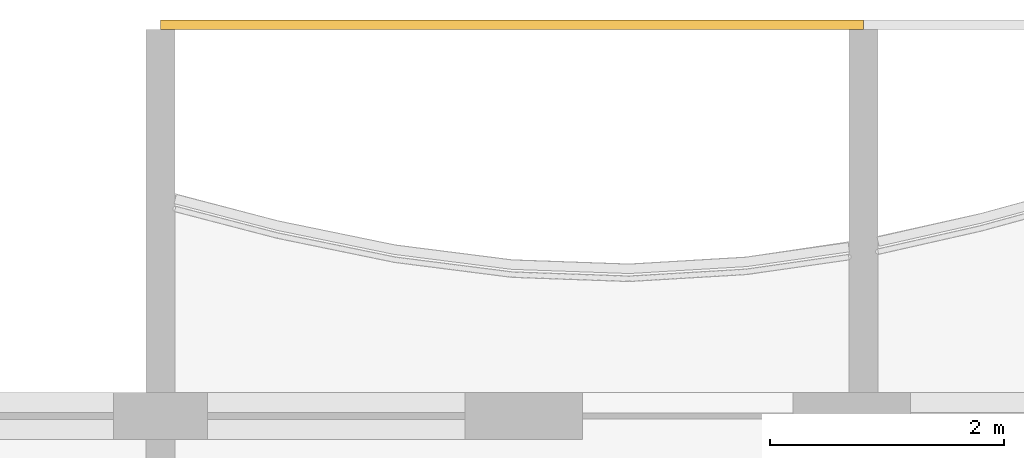
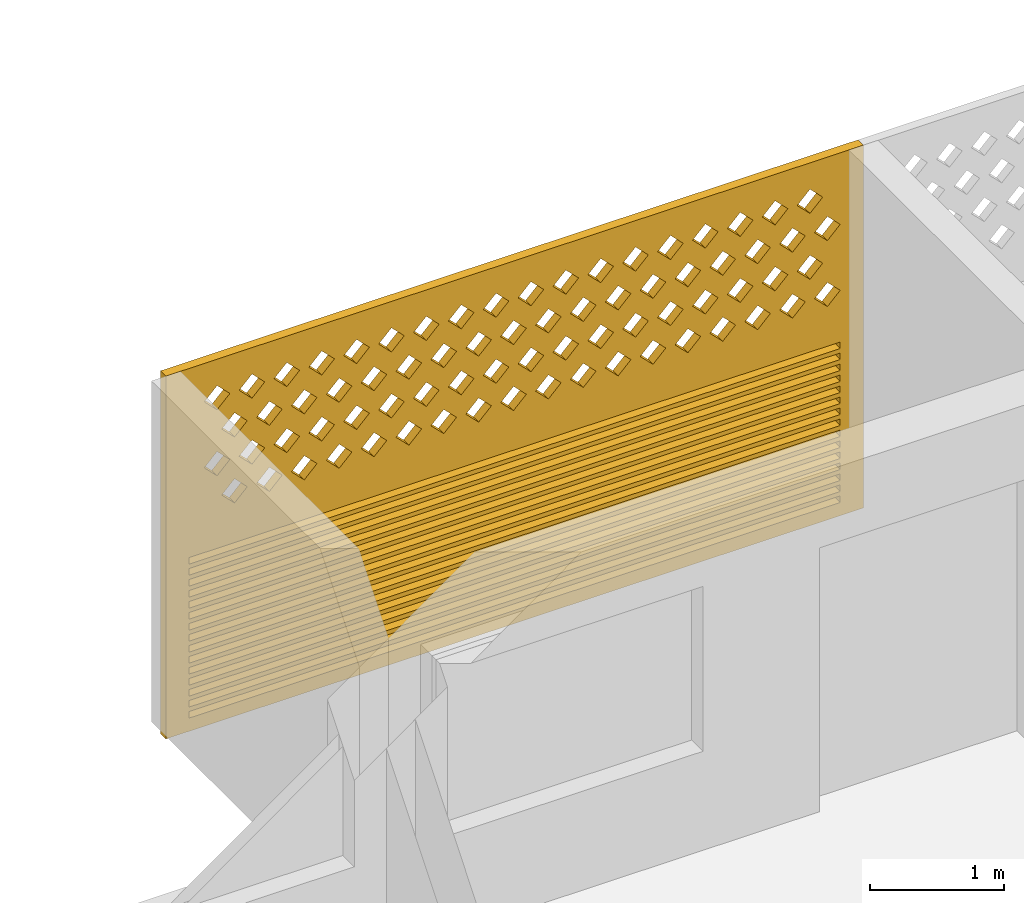
# One storey, part 25 of 27: 1 covering.
"""IFC4 building model written with IfcOpenShell, lengths in metres."""

from ifc_helpers import new_model, si_unit, direction, frame, origin, place, context, subcontext, project, spatial, polyline, outline, extrude, source, transform, mapped, material, material_profile, profile_set, type_object, element, save


model = new_model("IFC4")

# Units and contexts
model_context = context("Model", 3, precision=1e-05, world=origin(), true_north=direction((0.0, 1.0)))
body_context = subcontext(model_context, "Body", "Model", "MODEL_VIEW")
ifc_project = project(units=[si_unit("LENGTHUNIT", "METRE"), si_unit("AREAUNIT", "SQUARE_METRE"), si_unit("VOLUMEUNIT", "CUBIC_METRE"), si_unit("PLANEANGLEUNIT", "RADIAN"), si_unit("MASSUNIT", "GRAM", prefix="KILO")], contexts=[model_context])

# Site, building, storey
site_placement = place(None, origin())
site = spatial("IfcSite", under=ifc_project, at=site_placement, CompositionType="ELEMENT")
building_placement = place(site_placement, origin())
building = spatial("IfcBuilding", under=site, at=building_placement, Name="Poui Terraces", CompositionType="ELEMENT")
storey_placement = place(building_placement, frame((0.0, 0.0, 191.699951171875)))
storey = spatial("IfcBuildingStorey", under=building, at=storey_placement, Name="L53", CompositionType="ELEMENT", Elevation=191.699951171875)

# Covering
ifc_material = material(Name="Terracotta screen", Category="masonry")
ifc_material_profile = material_profile(ifc_material, outline(polyline([(-3.0, -1.64990234375), (3.0, -1.64990234375), (3.0, 1.64990234375), (-3.0, 1.64990234375), (-3.0, -1.64990234375)]), holes=[polyline([(-2.800048828125, 0.39990234375), (-2.68994140625, 0.2900390625), (-2.580078125, 0.39990234375), (-2.68994140625, 0.510009765625), (-2.800048828125, 0.39990234375)]), polyline([(-2.5, 0.39990234375), (-2.389892578125, 0.2900390625), (-2.280029296875, 0.39990234375), (-2.389892578125, 0.510009765625), (-2.5, 0.39990234375)]), polyline([(-2.199951171875, 0.39990234375), (-2.090087890625, 0.2900390625), (-1.97998046875, 0.39990234375), (-2.090087890625, 0.510009765625), (-2.199951171875, 0.39990234375)]), polyline([(-1.89990234375, 0.39990234375), (-1.7900390625, 0.2900390625), (-1.679931640625, 0.39990234375), (-1.7900390625, 0.510009765625), (-1.89990234375, 0.39990234375)]), polyline([(-1.60009765625, 0.39990234375), (-1.489990234375, 0.2900390625), (-1.3798828125, 0.39990234375), (-1.489990234375, 0.510009765625), (-1.60009765625, 0.39990234375)]), polyline([(-1.300048828125, 0.39990234375), (-1.18994140625, 0.2900390625), (-1.080078125, 0.39990234375), (-1.18994140625, 0.510009765625), (-1.300048828125, 0.39990234375)]), polyline([(-1.0, 0.39990234375), (-0.889892578125, 0.2900390625), (-0.780029296875, 0.39990234375), (-0.889892578125, 0.510009765625), (-1.0, 0.39990234375)]), polyline([(-0.699951171875, 0.39990234375), (-0.590087890625, 0.2900390625), (-0.47998046875, 0.39990234375), (-0.590087890625, 0.510009765625), (-0.699951171875, 0.39990234375)]), polyline([(-0.39990234375, 0.39990234375), (-0.2900390625, 0.2900390625), (-0.179931640625, 0.39990234375), (-0.2900390625, 0.510009765625), (-0.39990234375, 0.39990234375)]), polyline([(-0.10009765625, 0.39990234375), (0.010009765625, 0.2900390625), (0.1201171875, 0.39990234375), (0.010009765625, 0.510009765625), (-0.10009765625, 0.39990234375)]), polyline([(0.199951171875, 0.39990234375), (0.31005859375, 0.2900390625), (0.419921875, 0.39990234375), (0.31005859375, 0.510009765625), (0.199951171875, 0.39990234375)]), polyline([(0.5, 0.39990234375), (0.610107421875, 0.2900390625), (0.719970703125, 0.39990234375), (0.610107421875, 0.510009765625), (0.5, 0.39990234375)]), polyline([(0.800048828125, 0.39990234375), (0.909912109375, 0.2900390625), (1.02001953125, 0.39990234375), (0.909912109375, 0.510009765625), (0.800048828125, 0.39990234375)]), polyline([(1.10009765625, 0.39990234375), (1.2099609375, 0.2900390625), (1.320068359375, 0.39990234375), (1.2099609375, 0.510009765625), (1.10009765625, 0.39990234375)]), polyline([(1.39990234375, 0.39990234375), (1.510009765625, 0.2900390625), (1.6201171875, 0.39990234375), (1.510009765625, 0.510009765625), (1.39990234375, 0.39990234375)]), polyline([(1.699951171875, 0.39990234375), (1.81005859375, 0.2900390625), (1.919921875, 0.39990234375), (1.81005859375, 0.510009765625), (1.699951171875, 0.39990234375)]), polyline([(2.0, 0.39990234375), (2.110107421875, 0.2900390625), (2.219970703125, 0.39990234375), (2.110107421875, 0.510009765625), (2.0, 0.39990234375)]), polyline([(2.300048828125, 0.39990234375), (2.409912109375, 0.2900390625), (2.52001953125, 0.39990234375), (2.409912109375, 0.510009765625), (2.300048828125, 0.39990234375)]), polyline([(-2.64990234375, 0.699951171875), (-2.5400390625, 0.590087890625), (-2.429931640625, 0.699951171875), (-2.5400390625, 0.81005859375), (-2.64990234375, 0.699951171875)]), polyline([(-2.35009765625, 0.699951171875), (-2.239990234375, 0.590087890625), (-2.1298828125, 0.699951171875), (-2.239990234375, 0.81005859375), (-2.35009765625, 0.699951171875)]), polyline([(-2.050048828125, 0.699951171875), (-1.93994140625, 0.590087890625), (-1.830078125, 0.699951171875), (-1.93994140625, 0.81005859375), (-2.050048828125, 0.699951171875)]), polyline([(-1.75, 0.699951171875), (-1.639892578125, 0.590087890625), (-1.530029296875, 0.699951171875), (-1.639892578125, 0.81005859375), (-1.75, 0.699951171875)]), polyline([(-1.449951171875, 0.699951171875), (-1.340087890625, 0.590087890625), (-1.22998046875, 0.699951171875), (-1.340087890625, 0.81005859375), (-1.449951171875, 0.699951171875)]), polyline([(-1.14990234375, 0.699951171875), (-1.0400390625, 0.590087890625), (-0.929931640625, 0.699951171875), (-1.0400390625, 0.81005859375), (-1.14990234375, 0.699951171875)]), polyline([(-0.85009765625, 0.699951171875), (-0.739990234375, 0.590087890625), (-0.6298828125, 0.699951171875), (-0.739990234375, 0.81005859375), (-0.85009765625, 0.699951171875)]), polyline([(-0.550048828125, 0.699951171875), (-0.43994140625, 0.590087890625), (-0.330078125, 0.699951171875), (-0.43994140625, 0.81005859375), (-0.550048828125, 0.699951171875)]), polyline([(-0.25, 0.699951171875), (-0.139892578125, 0.590087890625), (-0.030029296875, 0.699951171875), (-0.139892578125, 0.81005859375), (-0.25, 0.699951171875)]), polyline([(0.050048828125, 0.699951171875), (0.159912109375, 0.590087890625), (0.27001953125, 0.699951171875), (0.159912109375, 0.81005859375), (0.050048828125, 0.699951171875)]), polyline([(0.35009765625, 0.699951171875), (0.4599609375, 0.590087890625), (0.570068359375, 0.699951171875), (0.4599609375, 0.81005859375), (0.35009765625, 0.699951171875)]), polyline([(0.64990234375, 0.699951171875), (0.760009765625, 0.590087890625), (0.8701171875, 0.699951171875), (0.760009765625, 0.81005859375), (0.64990234375, 0.699951171875)]), polyline([(0.949951171875, 0.699951171875), (1.06005859375, 0.590087890625), (1.169921875, 0.699951171875), (1.06005859375, 0.81005859375), (0.949951171875, 0.699951171875)]), polyline([(1.25, 0.699951171875), (1.360107421875, 0.590087890625), (1.469970703125, 0.699951171875), (1.360107421875, 0.81005859375), (1.25, 0.699951171875)]), polyline([(1.550048828125, 0.699951171875), (1.659912109375, 0.590087890625), (1.77001953125, 0.699951171875), (1.659912109375, 0.81005859375), (1.550048828125, 0.699951171875)]), polyline([(1.85009765625, 0.699951171875), (1.9599609375, 0.590087890625), (2.070068359375, 0.699951171875), (1.9599609375, 0.81005859375), (1.85009765625, 0.699951171875)]), polyline([(2.14990234375, 0.699951171875), (2.260009765625, 0.590087890625), (2.3701171875, 0.699951171875), (2.260009765625, 0.81005859375), (2.14990234375, 0.699951171875)]), polyline([(2.449951171875, 0.699951171875), (2.56005859375, 0.590087890625), (2.669921875, 0.699951171875), (2.56005859375, 0.81005859375), (2.449951171875, 0.699951171875)]), polyline([(-2.800048828125, 1.0), (-2.68994140625, 0.889892578125), (-2.580078125, 1.0), (-2.68994140625, 1.110107421875), (-2.800048828125, 1.0)]), polyline([(-2.5, 1.0), (-2.389892578125, 0.889892578125), (-2.280029296875, 1.0), (-2.389892578125, 1.110107421875), (-2.5, 1.0)]), polyline([(-2.199951171875, 1.0), (-2.090087890625, 0.889892578125), (-1.97998046875, 1.0), (-2.090087890625, 1.110107421875), (-2.199951171875, 1.0)]), polyline([(-1.89990234375, 1.0), (-1.7900390625, 0.889892578125), (-1.679931640625, 1.0), (-1.7900390625, 1.110107421875), (-1.89990234375, 1.0)]), polyline([(-1.60009765625, 1.0), (-1.489990234375, 0.889892578125), (-1.3798828125, 1.0), (-1.489990234375, 1.110107421875), (-1.60009765625, 1.0)]), polyline([(-1.300048828125, 1.0), (-1.18994140625, 0.889892578125), (-1.080078125, 1.0), (-1.18994140625, 1.110107421875), (-1.300048828125, 1.0)]), polyline([(-1.0, 1.0), (-0.889892578125, 0.889892578125), (-0.780029296875, 1.0), (-0.889892578125, 1.110107421875), (-1.0, 1.0)]), polyline([(-0.699951171875, 1.0), (-0.590087890625, 0.889892578125), (-0.47998046875, 1.0), (-0.590087890625, 1.110107421875), (-0.699951171875, 1.0)]), polyline([(-0.39990234375, 1.0), (-0.2900390625, 0.889892578125), (-0.179931640625, 1.0), (-0.2900390625, 1.110107421875), (-0.39990234375, 1.0)]), polyline([(-0.10009765625, 1.0), (0.010009765625, 0.889892578125), (0.1201171875, 1.0), (0.010009765625, 1.110107421875), (-0.10009765625, 1.0)]), polyline([(0.199951171875, 1.0), (0.31005859375, 0.889892578125), (0.419921875, 1.0), (0.31005859375, 1.110107421875), (0.199951171875, 1.0)]), polyline([(0.5, 1.0), (0.610107421875, 0.889892578125), (0.719970703125, 1.0), (0.610107421875, 1.110107421875), (0.5, 1.0)]), polyline([(0.800048828125, 1.0), (0.909912109375, 0.889892578125), (1.02001953125, 1.0), (0.909912109375, 1.110107421875), (0.800048828125, 1.0)]), polyline([(1.10009765625, 1.0), (1.2099609375, 0.889892578125), (1.320068359375, 1.0), (1.2099609375, 1.110107421875), (1.10009765625, 1.0)]), polyline([(1.39990234375, 1.0), (1.510009765625, 0.889892578125), (1.6201171875, 1.0), (1.510009765625, 1.110107421875), (1.39990234375, 1.0)]), polyline([(1.699951171875, 1.0), (1.81005859375, 0.889892578125), (1.919921875, 1.0), (1.81005859375, 1.110107421875), (1.699951171875, 1.0)]), polyline([(2.0, 1.0), (2.110107421875, 0.889892578125), (2.219970703125, 1.0), (2.110107421875, 1.110107421875), (2.0, 1.0)]), polyline([(2.300048828125, 1.0), (2.409912109375, 0.889892578125), (2.52001953125, 1.0), (2.409912109375, 1.110107421875), (2.300048828125, 1.0)]), polyline([(-2.64990234375, 1.300048828125), (-2.5400390625, 1.18994140625), (-2.429931640625, 1.300048828125), (-2.5400390625, 1.409912109375), (-2.64990234375, 1.300048828125)]), polyline([(-2.35009765625, 1.300048828125), (-2.239990234375, 1.18994140625), (-2.1298828125, 1.300048828125), (-2.239990234375, 1.409912109375), (-2.35009765625, 1.300048828125)]), polyline([(-2.050048828125, 1.300048828125), (-1.93994140625, 1.18994140625), (-1.830078125, 1.300048828125), (-1.93994140625, 1.409912109375), (-2.050048828125, 1.300048828125)]), polyline([(-1.75, 1.300048828125), (-1.639892578125, 1.18994140625), (-1.530029296875, 1.300048828125), (-1.639892578125, 1.409912109375), (-1.75, 1.300048828125)]), polyline([(-1.449951171875, 1.300048828125), (-1.340087890625, 1.18994140625), (-1.22998046875, 1.300048828125), (-1.340087890625, 1.409912109375), (-1.449951171875, 1.300048828125)]), polyline([(-1.14990234375, 1.300048828125), (-1.0400390625, 1.18994140625), (-0.929931640625, 1.300048828125), (-1.0400390625, 1.409912109375), (-1.14990234375, 1.300048828125)]), polyline([(-0.85009765625, 1.300048828125), (-0.739990234375, 1.18994140625), (-0.6298828125, 1.300048828125), (-0.739990234375, 1.409912109375), (-0.85009765625, 1.300048828125)]), polyline([(-0.550048828125, 1.300048828125), (-0.43994140625, 1.18994140625), (-0.330078125, 1.300048828125), (-0.43994140625, 1.409912109375), (-0.550048828125, 1.300048828125)]), polyline([(-0.25, 1.300048828125), (-0.139892578125, 1.18994140625), (-0.030029296875, 1.300048828125), (-0.139892578125, 1.409912109375), (-0.25, 1.300048828125)]), polyline([(0.050048828125, 1.300048828125), (0.159912109375, 1.18994140625), (0.27001953125, 1.300048828125), (0.159912109375, 1.409912109375), (0.050048828125, 1.300048828125)]), polyline([(0.35009765625, 1.300048828125), (0.4599609375, 1.18994140625), (0.570068359375, 1.300048828125), (0.4599609375, 1.409912109375), (0.35009765625, 1.300048828125)]), polyline([(0.64990234375, 1.300048828125), (0.760009765625, 1.18994140625), (0.8701171875, 1.300048828125), (0.760009765625, 1.409912109375), (0.64990234375, 1.300048828125)]), polyline([(0.949951171875, 1.300048828125), (1.06005859375, 1.18994140625), (1.169921875, 1.300048828125), (1.06005859375, 1.409912109375), (0.949951171875, 1.300048828125)]), polyline([(1.25, 1.300048828125), (1.360107421875, 1.18994140625), (1.469970703125, 1.300048828125), (1.360107421875, 1.409912109375), (1.25, 1.300048828125)]), polyline([(1.550048828125, 1.300048828125), (1.659912109375, 1.18994140625), (1.77001953125, 1.300048828125), (1.659912109375, 1.409912109375), (1.550048828125, 1.300048828125)]), polyline([(1.85009765625, 1.300048828125), (1.9599609375, 1.18994140625), (2.070068359375, 1.300048828125), (1.9599609375, 1.409912109375), (1.85009765625, 1.300048828125)]), polyline([(2.14990234375, 1.300048828125), (2.260009765625, 1.18994140625), (2.3701171875, 1.300048828125), (2.260009765625, 1.409912109375), (2.14990234375, 1.300048828125)]), polyline([(2.449951171875, 1.300048828125), (2.56005859375, 1.18994140625), (2.669921875, 1.300048828125), (2.56005859375, 1.409912109375), (2.449951171875, 1.300048828125)]), polyline([(-2.800048828125, -1.530029296875), (2.800048828125, -1.530029296875), (2.800048828125, -1.469970703125), (-2.800048828125, -1.469970703125), (-2.800048828125, -1.530029296875)]), polyline([(-2.800048828125, -1.429931640625), (2.800048828125, -1.429931640625), (2.800048828125, -1.3701171875), (-2.800048828125, -1.3701171875), (-2.800048828125, -1.429931640625)]), polyline([(-2.800048828125, -1.330078125), (2.800048828125, -1.330078125), (2.800048828125, -1.27001953125), (-2.800048828125, -1.27001953125), (-2.800048828125, -1.330078125)]), polyline([(-2.800048828125, -1.22998046875), (2.800048828125, -1.22998046875), (2.800048828125, -1.169921875), (-2.800048828125, -1.169921875), (-2.800048828125, -1.22998046875)]), polyline([(-2.800048828125, -1.1298828125), (2.800048828125, -1.1298828125), (2.800048828125, -1.070068359375), (-2.800048828125, -1.070068359375), (-2.800048828125, -1.1298828125)]), polyline([(-2.800048828125, -1.030029296875), (2.800048828125, -1.030029296875), (2.800048828125, -0.969970703125), (-2.800048828125, -0.969970703125), (-2.800048828125, -1.030029296875)]), polyline([(-2.800048828125, -0.929931640625), (2.800048828125, -0.929931640625), (2.800048828125, -0.8701171875), (-2.800048828125, -0.8701171875), (-2.800048828125, -0.929931640625)]), polyline([(-2.800048828125, -0.830078125), (2.800048828125, -0.830078125), (2.800048828125, -0.77001953125), (-2.800048828125, -0.77001953125), (-2.800048828125, -0.830078125)]), polyline([(-2.800048828125, -0.72998046875), (2.800048828125, -0.72998046875), (2.800048828125, -0.669921875), (-2.800048828125, -0.669921875), (-2.800048828125, -0.72998046875)]), polyline([(-2.800048828125, -0.6298828125), (2.800048828125, -0.6298828125), (2.800048828125, -0.570068359375), (-2.800048828125, -0.570068359375), (-2.800048828125, -0.6298828125)]), polyline([(-2.800048828125, -0.530029296875), (2.800048828125, -0.530029296875), (2.800048828125, -0.469970703125), (-2.800048828125, -0.469970703125), (-2.800048828125, -0.530029296875)]), polyline([(-2.800048828125, -0.429931640625), (2.800048828125, -0.429931640625), (2.800048828125, -0.3701171875), (-2.800048828125, -0.3701171875), (-2.800048828125, -0.429931640625)]), polyline([(-2.800048828125, -0.330078125), (2.800048828125, -0.330078125), (2.800048828125, -0.27001953125), (-2.800048828125, -0.27001953125), (-2.800048828125, -0.330078125)]), polyline([(-2.800048828125, -0.22998046875), (2.800048828125, -0.22998046875), (2.800048828125, -0.169921875), (-2.800048828125, -0.169921875), (-2.800048828125, -0.22998046875)]), polyline([(-2.800048828125, -0.1298828125), (2.800048828125, -0.1298828125), (2.800048828125, -0.070068359375), (-2.800048828125, -0.070068359375), (-2.800048828125, -0.1298828125)])]), Name="TERRACOTTA SCREEN AND JALOUSIE LOUVRE 6000X3300")
ifc_profile_set = profile_set([ifc_material_profile], Name="Terracotta screen")
covering_type = type_object("IfcCoveringType", Name="TERRACOTTA SCREEN AND JALOUSIE LOUVRE 6000X3300", PredefinedType="CLADDING", material=ifc_profile_set)
shared_shape = source(origin(), body_context, "Body", "SweptSolid", [
    extrude(outline(polyline([(-3.0, -1.64990234375), (3.0, -1.64990234375), (3.0, 1.64990234375), (-3.0, 1.64990234375), (-3.0, -1.64990234375)]), holes=[polyline([(-2.800048828125, 0.39990234375), (-2.68994140625, 0.2900390625), (-2.580078125, 0.39990234375), (-2.68994140625, 0.510009765625), (-2.800048828125, 0.39990234375)]), polyline([(-2.5, 0.39990234375), (-2.389892578125, 0.2900390625), (-2.280029296875, 0.39990234375), (-2.389892578125, 0.510009765625), (-2.5, 0.39990234375)]), polyline([(-2.199951171875, 0.39990234375), (-2.090087890625, 0.2900390625), (-1.97998046875, 0.39990234375), (-2.090087890625, 0.510009765625), (-2.199951171875, 0.39990234375)]), polyline([(-1.89990234375, 0.39990234375), (-1.7900390625, 0.2900390625), (-1.679931640625, 0.39990234375), (-1.7900390625, 0.510009765625), (-1.89990234375, 0.39990234375)]), polyline([(-1.60009765625, 0.39990234375), (-1.489990234375, 0.2900390625), (-1.3798828125, 0.39990234375), (-1.489990234375, 0.510009765625), (-1.60009765625, 0.39990234375)]), polyline([(-1.300048828125, 0.39990234375), (-1.18994140625, 0.2900390625), (-1.080078125, 0.39990234375), (-1.18994140625, 0.510009765625), (-1.300048828125, 0.39990234375)]), polyline([(-1.0, 0.39990234375), (-0.889892578125, 0.2900390625), (-0.780029296875, 0.39990234375), (-0.889892578125, 0.510009765625), (-1.0, 0.39990234375)]), polyline([(-0.699951171875, 0.39990234375), (-0.590087890625, 0.2900390625), (-0.47998046875, 0.39990234375), (-0.590087890625, 0.510009765625), (-0.699951171875, 0.39990234375)]), polyline([(-0.39990234375, 0.39990234375), (-0.2900390625, 0.2900390625), (-0.179931640625, 0.39990234375), (-0.2900390625, 0.510009765625), (-0.39990234375, 0.39990234375)]), polyline([(-0.10009765625, 0.39990234375), (0.010009765625, 0.2900390625), (0.1201171875, 0.39990234375), (0.010009765625, 0.510009765625), (-0.10009765625, 0.39990234375)]), polyline([(0.199951171875, 0.39990234375), (0.31005859375, 0.2900390625), (0.419921875, 0.39990234375), (0.31005859375, 0.510009765625), (0.199951171875, 0.39990234375)]), polyline([(0.5, 0.39990234375), (0.610107421875, 0.2900390625), (0.719970703125, 0.39990234375), (0.610107421875, 0.510009765625), (0.5, 0.39990234375)]), polyline([(0.800048828125, 0.39990234375), (0.909912109375, 0.2900390625), (1.02001953125, 0.39990234375), (0.909912109375, 0.510009765625), (0.800048828125, 0.39990234375)]), polyline([(1.10009765625, 0.39990234375), (1.2099609375, 0.2900390625), (1.320068359375, 0.39990234375), (1.2099609375, 0.510009765625), (1.10009765625, 0.39990234375)]), polyline([(1.39990234375, 0.39990234375), (1.510009765625, 0.2900390625), (1.6201171875, 0.39990234375), (1.510009765625, 0.510009765625), (1.39990234375, 0.39990234375)]), polyline([(1.699951171875, 0.39990234375), (1.81005859375, 0.2900390625), (1.919921875, 0.39990234375), (1.81005859375, 0.510009765625), (1.699951171875, 0.39990234375)]), polyline([(2.0, 0.39990234375), (2.110107421875, 0.2900390625), (2.219970703125, 0.39990234375), (2.110107421875, 0.510009765625), (2.0, 0.39990234375)]), polyline([(2.300048828125, 0.39990234375), (2.409912109375, 0.2900390625), (2.52001953125, 0.39990234375), (2.409912109375, 0.510009765625), (2.300048828125, 0.39990234375)]), polyline([(-2.64990234375, 0.699951171875), (-2.5400390625, 0.590087890625), (-2.429931640625, 0.699951171875), (-2.5400390625, 0.81005859375), (-2.64990234375, 0.699951171875)]), polyline([(-2.35009765625, 0.699951171875), (-2.239990234375, 0.590087890625), (-2.1298828125, 0.699951171875), (-2.239990234375, 0.81005859375), (-2.35009765625, 0.699951171875)]), polyline([(-2.050048828125, 0.699951171875), (-1.93994140625, 0.590087890625), (-1.830078125, 0.699951171875), (-1.93994140625, 0.81005859375), (-2.050048828125, 0.699951171875)]), polyline([(-1.75, 0.699951171875), (-1.639892578125, 0.590087890625), (-1.530029296875, 0.699951171875), (-1.639892578125, 0.81005859375), (-1.75, 0.699951171875)]), polyline([(-1.449951171875, 0.699951171875), (-1.340087890625, 0.590087890625), (-1.22998046875, 0.699951171875), (-1.340087890625, 0.81005859375), (-1.449951171875, 0.699951171875)]), polyline([(-1.14990234375, 0.699951171875), (-1.0400390625, 0.590087890625), (-0.929931640625, 0.699951171875), (-1.0400390625, 0.81005859375), (-1.14990234375, 0.699951171875)]), polyline([(-0.85009765625, 0.699951171875), (-0.739990234375, 0.590087890625), (-0.6298828125, 0.699951171875), (-0.739990234375, 0.81005859375), (-0.85009765625, 0.699951171875)]), polyline([(-0.550048828125, 0.699951171875), (-0.43994140625, 0.590087890625), (-0.330078125, 0.699951171875), (-0.43994140625, 0.81005859375), (-0.550048828125, 0.699951171875)]), polyline([(-0.25, 0.699951171875), (-0.139892578125, 0.590087890625), (-0.030029296875, 0.699951171875), (-0.139892578125, 0.81005859375), (-0.25, 0.699951171875)]), polyline([(0.050048828125, 0.699951171875), (0.159912109375, 0.590087890625), (0.27001953125, 0.699951171875), (0.159912109375, 0.81005859375), (0.050048828125, 0.699951171875)]), polyline([(0.35009765625, 0.699951171875), (0.4599609375, 0.590087890625), (0.570068359375, 0.699951171875), (0.4599609375, 0.81005859375), (0.35009765625, 0.699951171875)]), polyline([(0.64990234375, 0.699951171875), (0.760009765625, 0.590087890625), (0.8701171875, 0.699951171875), (0.760009765625, 0.81005859375), (0.64990234375, 0.699951171875)]), polyline([(0.949951171875, 0.699951171875), (1.06005859375, 0.590087890625), (1.169921875, 0.699951171875), (1.06005859375, 0.81005859375), (0.949951171875, 0.699951171875)]), polyline([(1.25, 0.699951171875), (1.360107421875, 0.590087890625), (1.469970703125, 0.699951171875), (1.360107421875, 0.81005859375), (1.25, 0.699951171875)]), polyline([(1.550048828125, 0.699951171875), (1.659912109375, 0.590087890625), (1.77001953125, 0.699951171875), (1.659912109375, 0.81005859375), (1.550048828125, 0.699951171875)]), polyline([(1.85009765625, 0.699951171875), (1.9599609375, 0.590087890625), (2.070068359375, 0.699951171875), (1.9599609375, 0.81005859375), (1.85009765625, 0.699951171875)]), polyline([(2.14990234375, 0.699951171875), (2.260009765625, 0.590087890625), (2.3701171875, 0.699951171875), (2.260009765625, 0.81005859375), (2.14990234375, 0.699951171875)]), polyline([(2.449951171875, 0.699951171875), (2.56005859375, 0.590087890625), (2.669921875, 0.699951171875), (2.56005859375, 0.81005859375), (2.449951171875, 0.699951171875)]), polyline([(-2.800048828125, 1.0), (-2.68994140625, 0.889892578125), (-2.580078125, 1.0), (-2.68994140625, 1.110107421875), (-2.800048828125, 1.0)]), polyline([(-2.5, 1.0), (-2.389892578125, 0.889892578125), (-2.280029296875, 1.0), (-2.389892578125, 1.110107421875), (-2.5, 1.0)]), polyline([(-2.199951171875, 1.0), (-2.090087890625, 0.889892578125), (-1.97998046875, 1.0), (-2.090087890625, 1.110107421875), (-2.199951171875, 1.0)]), polyline([(-1.89990234375, 1.0), (-1.7900390625, 0.889892578125), (-1.679931640625, 1.0), (-1.7900390625, 1.110107421875), (-1.89990234375, 1.0)]), polyline([(-1.60009765625, 1.0), (-1.489990234375, 0.889892578125), (-1.3798828125, 1.0), (-1.489990234375, 1.110107421875), (-1.60009765625, 1.0)]), polyline([(-1.300048828125, 1.0), (-1.18994140625, 0.889892578125), (-1.080078125, 1.0), (-1.18994140625, 1.110107421875), (-1.300048828125, 1.0)]), polyline([(-1.0, 1.0), (-0.889892578125, 0.889892578125), (-0.780029296875, 1.0), (-0.889892578125, 1.110107421875), (-1.0, 1.0)]), polyline([(-0.699951171875, 1.0), (-0.590087890625, 0.889892578125), (-0.47998046875, 1.0), (-0.590087890625, 1.110107421875), (-0.699951171875, 1.0)]), polyline([(-0.39990234375, 1.0), (-0.2900390625, 0.889892578125), (-0.179931640625, 1.0), (-0.2900390625, 1.110107421875), (-0.39990234375, 1.0)]), polyline([(-0.10009765625, 1.0), (0.010009765625, 0.889892578125), (0.1201171875, 1.0), (0.010009765625, 1.110107421875), (-0.10009765625, 1.0)]), polyline([(0.199951171875, 1.0), (0.31005859375, 0.889892578125), (0.419921875, 1.0), (0.31005859375, 1.110107421875), (0.199951171875, 1.0)]), polyline([(0.5, 1.0), (0.610107421875, 0.889892578125), (0.719970703125, 1.0), (0.610107421875, 1.110107421875), (0.5, 1.0)]), polyline([(0.800048828125, 1.0), (0.909912109375, 0.889892578125), (1.02001953125, 1.0), (0.909912109375, 1.110107421875), (0.800048828125, 1.0)]), polyline([(1.10009765625, 1.0), (1.2099609375, 0.889892578125), (1.320068359375, 1.0), (1.2099609375, 1.110107421875), (1.10009765625, 1.0)]), polyline([(1.39990234375, 1.0), (1.510009765625, 0.889892578125), (1.6201171875, 1.0), (1.510009765625, 1.110107421875), (1.39990234375, 1.0)]), polyline([(1.699951171875, 1.0), (1.81005859375, 0.889892578125), (1.919921875, 1.0), (1.81005859375, 1.110107421875), (1.699951171875, 1.0)]), polyline([(2.0, 1.0), (2.110107421875, 0.889892578125), (2.219970703125, 1.0), (2.110107421875, 1.110107421875), (2.0, 1.0)]), polyline([(2.300048828125, 1.0), (2.409912109375, 0.889892578125), (2.52001953125, 1.0), (2.409912109375, 1.110107421875), (2.300048828125, 1.0)]), polyline([(-2.64990234375, 1.300048828125), (-2.5400390625, 1.18994140625), (-2.429931640625, 1.300048828125), (-2.5400390625, 1.409912109375), (-2.64990234375, 1.300048828125)]), polyline([(-2.35009765625, 1.300048828125), (-2.239990234375, 1.18994140625), (-2.1298828125, 1.300048828125), (-2.239990234375, 1.409912109375), (-2.35009765625, 1.300048828125)]), polyline([(-2.050048828125, 1.300048828125), (-1.93994140625, 1.18994140625), (-1.830078125, 1.300048828125), (-1.93994140625, 1.409912109375), (-2.050048828125, 1.300048828125)]), polyline([(-1.75, 1.300048828125), (-1.639892578125, 1.18994140625), (-1.530029296875, 1.300048828125), (-1.639892578125, 1.409912109375), (-1.75, 1.300048828125)]), polyline([(-1.449951171875, 1.300048828125), (-1.340087890625, 1.18994140625), (-1.22998046875, 1.300048828125), (-1.340087890625, 1.409912109375), (-1.449951171875, 1.300048828125)]), polyline([(-1.14990234375, 1.300048828125), (-1.0400390625, 1.18994140625), (-0.929931640625, 1.300048828125), (-1.0400390625, 1.409912109375), (-1.14990234375, 1.300048828125)]), polyline([(-0.85009765625, 1.300048828125), (-0.739990234375, 1.18994140625), (-0.6298828125, 1.300048828125), (-0.739990234375, 1.409912109375), (-0.85009765625, 1.300048828125)]), polyline([(-0.550048828125, 1.300048828125), (-0.43994140625, 1.18994140625), (-0.330078125, 1.300048828125), (-0.43994140625, 1.409912109375), (-0.550048828125, 1.300048828125)]), polyline([(-0.25, 1.300048828125), (-0.139892578125, 1.18994140625), (-0.030029296875, 1.300048828125), (-0.139892578125, 1.409912109375), (-0.25, 1.300048828125)]), polyline([(0.050048828125, 1.300048828125), (0.159912109375, 1.18994140625), (0.27001953125, 1.300048828125), (0.159912109375, 1.409912109375), (0.050048828125, 1.300048828125)]), polyline([(0.35009765625, 1.300048828125), (0.4599609375, 1.18994140625), (0.570068359375, 1.300048828125), (0.4599609375, 1.409912109375), (0.35009765625, 1.300048828125)]), polyline([(0.64990234375, 1.300048828125), (0.760009765625, 1.18994140625), (0.8701171875, 1.300048828125), (0.760009765625, 1.409912109375), (0.64990234375, 1.300048828125)]), polyline([(0.949951171875, 1.300048828125), (1.06005859375, 1.18994140625), (1.169921875, 1.300048828125), (1.06005859375, 1.409912109375), (0.949951171875, 1.300048828125)]), polyline([(1.25, 1.300048828125), (1.360107421875, 1.18994140625), (1.469970703125, 1.300048828125), (1.360107421875, 1.409912109375), (1.25, 1.300048828125)]), polyline([(1.550048828125, 1.300048828125), (1.659912109375, 1.18994140625), (1.77001953125, 1.300048828125), (1.659912109375, 1.409912109375), (1.550048828125, 1.300048828125)]), polyline([(1.85009765625, 1.300048828125), (1.9599609375, 1.18994140625), (2.070068359375, 1.300048828125), (1.9599609375, 1.409912109375), (1.85009765625, 1.300048828125)]), polyline([(2.14990234375, 1.300048828125), (2.260009765625, 1.18994140625), (2.3701171875, 1.300048828125), (2.260009765625, 1.409912109375), (2.14990234375, 1.300048828125)]), polyline([(2.449951171875, 1.300048828125), (2.56005859375, 1.18994140625), (2.669921875, 1.300048828125), (2.56005859375, 1.409912109375), (2.449951171875, 1.300048828125)]), polyline([(-2.800048828125, -1.530029296875), (2.800048828125, -1.530029296875), (2.800048828125, -1.469970703125), (-2.800048828125, -1.469970703125), (-2.800048828125, -1.530029296875)]), polyline([(-2.800048828125, -1.429931640625), (2.800048828125, -1.429931640625), (2.800048828125, -1.3701171875), (-2.800048828125, -1.3701171875), (-2.800048828125, -1.429931640625)]), polyline([(-2.800048828125, -1.330078125), (2.800048828125, -1.330078125), (2.800048828125, -1.27001953125), (-2.800048828125, -1.27001953125), (-2.800048828125, -1.330078125)]), polyline([(-2.800048828125, -1.22998046875), (2.800048828125, -1.22998046875), (2.800048828125, -1.169921875), (-2.800048828125, -1.169921875), (-2.800048828125, -1.22998046875)]), polyline([(-2.800048828125, -1.1298828125), (2.800048828125, -1.1298828125), (2.800048828125, -1.070068359375), (-2.800048828125, -1.070068359375), (-2.800048828125, -1.1298828125)]), polyline([(-2.800048828125, -1.030029296875), (2.800048828125, -1.030029296875), (2.800048828125, -0.969970703125), (-2.800048828125, -0.969970703125), (-2.800048828125, -1.030029296875)]), polyline([(-2.800048828125, -0.929931640625), (2.800048828125, -0.929931640625), (2.800048828125, -0.8701171875), (-2.800048828125, -0.8701171875), (-2.800048828125, -0.929931640625)]), polyline([(-2.800048828125, -0.830078125), (2.800048828125, -0.830078125), (2.800048828125, -0.77001953125), (-2.800048828125, -0.77001953125), (-2.800048828125, -0.830078125)]), polyline([(-2.800048828125, -0.72998046875), (2.800048828125, -0.72998046875), (2.800048828125, -0.669921875), (-2.800048828125, -0.669921875), (-2.800048828125, -0.72998046875)]), polyline([(-2.800048828125, -0.6298828125), (2.800048828125, -0.6298828125), (2.800048828125, -0.570068359375), (-2.800048828125, -0.570068359375), (-2.800048828125, -0.6298828125)]), polyline([(-2.800048828125, -0.530029296875), (2.800048828125, -0.530029296875), (2.800048828125, -0.469970703125), (-2.800048828125, -0.469970703125), (-2.800048828125, -0.530029296875)]), polyline([(-2.800048828125, -0.429931640625), (2.800048828125, -0.429931640625), (2.800048828125, -0.3701171875), (-2.800048828125, -0.3701171875), (-2.800048828125, -0.429931640625)]), polyline([(-2.800048828125, -0.330078125), (2.800048828125, -0.330078125), (2.800048828125, -0.27001953125), (-2.800048828125, -0.27001953125), (-2.800048828125, -0.330078125)]), polyline([(-2.800048828125, -0.22998046875), (2.800048828125, -0.22998046875), (2.800048828125, -0.169921875), (-2.800048828125, -0.169921875), (-2.800048828125, -0.22998046875)]), polyline([(-2.800048828125, -0.1298828125), (2.800048828125, -0.1298828125), (2.800048828125, -0.070068359375), (-2.800048828125, -0.070068359375), (-2.800048828125, -0.1298828125)])]), origin(), (0.0, 0.0, 1.0), 0.080078125),
])
covering_placement = place(storey_placement, frame((69.0, 44.5, 1.449951171875), z_axis=(0.0, 1.0, 0.0), x_axis=(-1.0, 0.0, 0.0)))
element("IfcCovering", 1, at=covering_placement, inside=storey, type_object=covering_type, Name="SOLAR SCREEN AND JALOUSIE LOUVRE", PredefinedType="CLADDING", context=body_context, shape_type="MappedRepresentation", body=[
    mapped(shared_shape, transform((0.0, 0.0, 0.0))),
])

save(model, "model.ifc")
